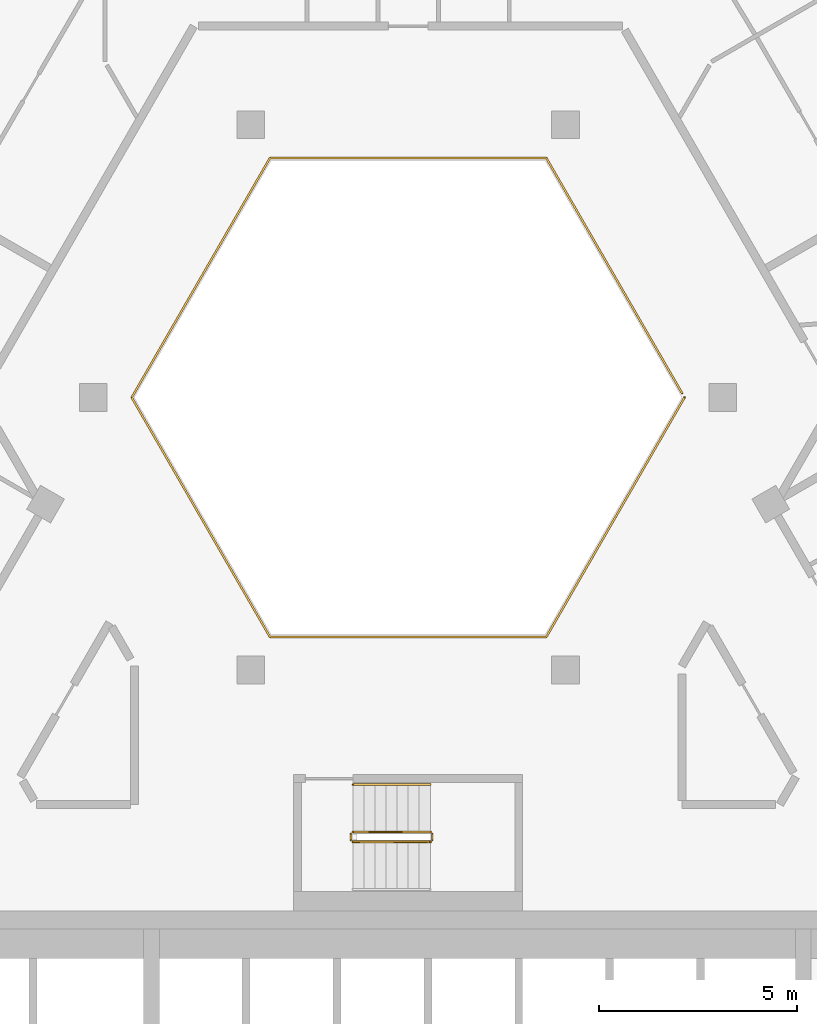
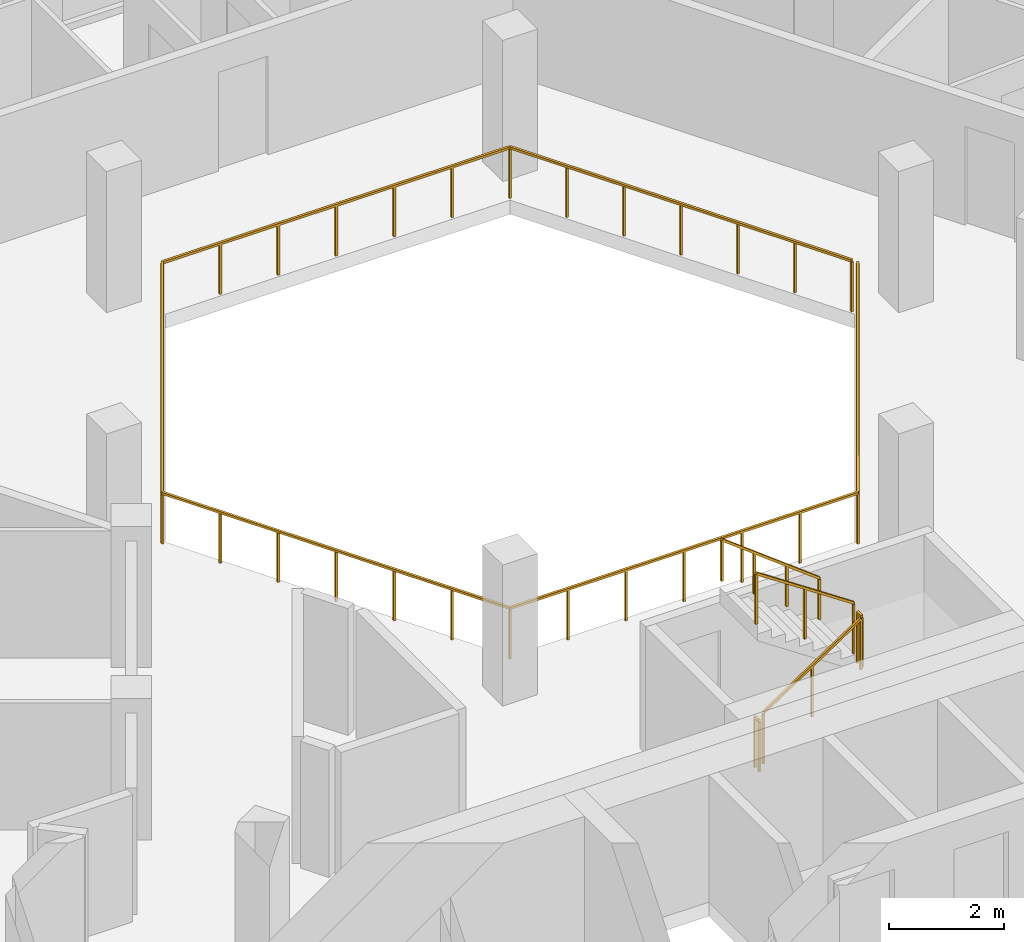
# One storey, part 12 of 14: 6 railings.
"""IFC4 building model written with IfcOpenShell, lengths in metres."""

from ifc_helpers import new_model, si_unit, direction, frame, origin, origin_2d, place, context, subcontext, project, spatial, rectangle, extrude, material, type_object, element, save


model = new_model("IFC4")

# Units and contexts
model_context = context("Model", 3, precision=1e-05, world=origin(), true_north=direction((0.0, 1.0)))
body_context = subcontext(model_context, "Body", "Model", "MODEL_VIEW")
ifc_project = project(units=[si_unit("LENGTHUNIT", "METRE"), si_unit("AREAUNIT", "SQUARE_METRE"), si_unit("VOLUMEUNIT", "CUBIC_METRE"), si_unit("PLANEANGLEUNIT", "RADIAN"), si_unit("MASSUNIT", "GRAM", prefix="KILO")], contexts=[model_context])

# Site, building, storey
site_placement = place(None, origin())
site = spatial("IfcSite", under=ifc_project, at=site_placement, CompositionType="ELEMENT")
building_placement = place(site_placement, origin())
building = spatial("IfcBuilding", under=site, at=building_placement, Name="Beryl Residences", CompositionType="ELEMENT")
storey_placement = place(building_placement, frame((0.0, 0.0, 235.800048828125)))
storey = spatial("IfcBuildingStorey", under=building, at=storey_placement, Name="L73", CompositionType="ELEMENT", Elevation=235.800048828125)

# Railings
ifc_material_1 = material(Name="Stainless steel balustrade with glass infill", Category="steel")
railing_type_1 = type_object("IfcRailingType", Name="EG1 edge guard 1100 mm", PredefinedType="GUARDRAIL", material=ifc_material_1)
railing_1_placement = place(storey_placement, frame((6.9970703125, 8.0, 0.0)))
element("IfcRailing", 1, at=railing_1_placement, inside=storey, type_object=railing_type_1, Name="L73 atrium guard", PredefinedType="GUARDRAIL", context=body_context, shape_type="SweptSolid", body=[
    extrude(rectangle(XDim=0.048095703125, YDim=0.048095703125, at=origin_2d()), frame((0.0, 0.0, 1.076171875), z_axis=(-0.499921796684, -0.866070549782, 0.0), x_axis=(0.866070549782, -0.499921796684, 0.0)), (0.0, 0.0, 1.0), 6.9970703125),
    extrude(rectangle(XDim=0.048095703125, YDim=0.048095703125, at=origin_2d()), frame((-3.498046875, -6.06005859375, 1.076171875), z_axis=(-1.0, 0.0, 0.0), x_axis=(0.0, -1.0, 0.0)), (0.0, 0.0, 1.0), 6.998046875),
    extrude(rectangle(XDim=0.048095703125, YDim=0.048095703125, at=origin_2d()), frame((-10.49609375, -6.06005859375, 1.076171875), z_axis=(-0.499921796684, 0.866070549782, 0.0), x_axis=(-0.866070549782, -0.499921796684, 0.0)), (0.0, 0.0, 1.0), 6.9970703125),
    extrude(rectangle(XDim=0.048095703125, YDim=0.048095703125, at=origin_2d()), frame((-13.994140625, 0.0, 1.076171875), z_axis=(0.499921796684, 0.866070549782, 0.0), x_axis=(-0.866070549782, 0.499921796684, 0.0)), (0.0, 0.0, 1.0), 6.9970703125),
    extrude(rectangle(XDim=0.048095703125, YDim=0.048095703125, at=origin_2d()), frame((-10.49609375, 6.06005859375, 1.076171875), z_axis=(1.0, 0.0, 0.0), x_axis=(0.0, 1.0, 0.0)), (0.0, 0.0, 1.0), 6.998046875),
    extrude(rectangle(XDim=0.048095703125, YDim=0.048095703125, at=origin_2d()), frame((-3.498046875, 6.06005859375, 1.076171875), z_axis=(0.499919131929, -0.866072087953, 0.0), x_axis=(0.866072087953, 0.499919131929, 0.0)), (0.0, 0.0, 1.0), 6.877197265625),
    extrude(rectangle(XDim=0.0419921875, YDim=0.0419921875, at=origin_2d()), origin(), (0.0, 0.0, 1.0), 1.052001953125),
    extrude(rectangle(XDim=0.0419921875, YDim=0.0419921875, at=origin_2d()), frame((-0.5830078125, -1.010009765625, 0.0)), (0.0, 0.0, 1.0), 1.052001953125),
    extrude(rectangle(XDim=0.0419921875, YDim=0.0419921875, at=origin_2d()), frame((-1.166015625, -2.02001953125, 0.0)), (0.0, 0.0, 1.0), 1.052001953125),
    extrude(rectangle(XDim=0.0419921875, YDim=0.0419921875, at=origin_2d()), frame((-1.7490234375, -3.030029296875, 0.0)), (0.0, 0.0, 1.0), 1.052001953125),
    extrude(rectangle(XDim=0.0419921875, YDim=0.0419921875, at=origin_2d()), frame((-2.33203125, -4.0400390625, 0.0)), (0.0, 0.0, 1.0), 1.052001953125),
    extrude(rectangle(XDim=0.0419921875, YDim=0.0419921875, at=origin_2d()), frame((-2.9150390625, -5.050048828125, 0.0)), (0.0, 0.0, 1.0), 1.052001953125),
    extrude(rectangle(XDim=0.0419921875, YDim=0.0419921875, at=origin_2d()), frame((-3.498046875, -6.06005859375, 0.0)), (0.0, 0.0, 1.0), 1.052001953125),
    extrude(rectangle(XDim=0.0419921875, YDim=0.0419921875, at=origin_2d()), frame((-4.664306640625, -6.06005859375, 0.0)), (0.0, 0.0, 1.0), 1.052001953125),
    extrude(rectangle(XDim=0.0419921875, YDim=0.0419921875, at=origin_2d()), frame((-5.830810546875, -6.06005859375, 0.0)), (0.0, 0.0, 1.0), 1.052001953125),
    extrude(rectangle(XDim=0.0419921875, YDim=0.0419921875, at=origin_2d()), frame((-6.9970703125, -6.06005859375, 0.0)), (0.0, 0.0, 1.0), 1.052001953125),
    extrude(rectangle(XDim=0.0419921875, YDim=0.0419921875, at=origin_2d()), frame((-8.163330078125, -6.06005859375, 0.0)), (0.0, 0.0, 1.0), 1.052001953125),
    extrude(rectangle(XDim=0.0419921875, YDim=0.0419921875, at=origin_2d()), frame((-9.329833984375, -6.06005859375, 0.0)), (0.0, 0.0, 1.0), 1.052001953125),
    extrude(rectangle(XDim=0.0419921875, YDim=0.0419921875, at=origin_2d()), frame((-10.49609375, -6.06005859375, 0.0)), (0.0, 0.0, 1.0), 1.052001953125),
    extrude(rectangle(XDim=0.0419921875, YDim=0.0419921875, at=origin_2d()), frame((-11.0791015625, -5.050048828125, 0.0)), (0.0, 0.0, 1.0), 1.052001953125),
    extrude(rectangle(XDim=0.0419921875, YDim=0.0419921875, at=origin_2d()), frame((-11.662109375, -4.0400390625, 0.0)), (0.0, 0.0, 1.0), 1.052001953125),
    extrude(rectangle(XDim=0.0419921875, YDim=0.0419921875, at=origin_2d()), frame((-12.2451171875, -3.030029296875, 0.0)), (0.0, 0.0, 1.0), 1.052001953125),
    extrude(rectangle(XDim=0.0419921875, YDim=0.0419921875, at=origin_2d()), frame((-12.828125, -2.02001953125, 0.0)), (0.0, 0.0, 1.0), 1.052001953125),
    extrude(rectangle(XDim=0.0419921875, YDim=0.0419921875, at=origin_2d()), frame((-13.4111328125, -1.010009765625, 0.0)), (0.0, 0.0, 1.0), 1.052001953125),
    extrude(rectangle(XDim=0.0419921875, YDim=0.0419921875, at=origin_2d()), frame((-13.994140625, 0.0, 0.0)), (0.0, 0.0, 1.0), 1.052001953125),
    extrude(rectangle(XDim=0.0419921875, YDim=0.0419921875, at=origin_2d()), frame((-13.4111328125, 1.010009765625, 0.0)), (0.0, 0.0, 1.0), 1.052001953125),
    extrude(rectangle(XDim=0.0419921875, YDim=0.0419921875, at=origin_2d()), frame((-12.828125, 2.02001953125, 0.0)), (0.0, 0.0, 1.0), 1.052001953125),
    extrude(rectangle(XDim=0.0419921875, YDim=0.0419921875, at=origin_2d()), frame((-12.2451171875, 3.030029296875, 0.0)), (0.0, 0.0, 1.0), 1.052001953125),
    extrude(rectangle(XDim=0.0419921875, YDim=0.0419921875, at=origin_2d()), frame((-11.662109375, 4.0400390625, 0.0)), (0.0, 0.0, 1.0), 1.052001953125),
    extrude(rectangle(XDim=0.0419921875, YDim=0.0419921875, at=origin_2d()), frame((-11.0791015625, 5.050048828125, 0.0)), (0.0, 0.0, 1.0), 1.052001953125),
    extrude(rectangle(XDim=0.0419921875, YDim=0.0419921875, at=origin_2d()), frame((-10.49609375, 6.06005859375, 0.0)), (0.0, 0.0, 1.0), 1.052001953125),
    extrude(rectangle(XDim=0.0419921875, YDim=0.0419921875, at=origin_2d()), frame((-9.329833984375, 6.06005859375, 0.0)), (0.0, 0.0, 1.0), 1.052001953125),
    extrude(rectangle(XDim=0.0419921875, YDim=0.0419921875, at=origin_2d()), frame((-8.163330078125, 6.06005859375, 0.0)), (0.0, 0.0, 1.0), 1.052001953125),
    extrude(rectangle(XDim=0.0419921875, YDim=0.0419921875, at=origin_2d()), frame((-6.9970703125, 6.06005859375, 0.0)), (0.0, 0.0, 1.0), 1.052001953125),
    extrude(rectangle(XDim=0.0419921875, YDim=0.0419921875, at=origin_2d()), frame((-5.830810546875, 6.06005859375, 0.0)), (0.0, 0.0, 1.0), 1.052001953125),
    extrude(rectangle(XDim=0.0419921875, YDim=0.0419921875, at=origin_2d()), frame((-4.664306640625, 6.06005859375, 0.0)), (0.0, 0.0, 1.0), 1.052001953125),
    extrude(rectangle(XDim=0.0419921875, YDim=0.0419921875, at=origin_2d()), frame((-3.498046875, 6.06005859375, 0.0)), (0.0, 0.0, 1.0), 1.052001953125),
    extrude(rectangle(XDim=0.0419921875, YDim=0.0419921875, at=origin_2d()), frame((-2.925048828125, 5.0673828125, 0.0)), (0.0, 0.0, 1.0), 1.052001953125),
    extrude(rectangle(XDim=0.0419921875, YDim=0.0419921875, at=origin_2d()), frame((-2.35205078125, 4.07470703125, 0.0)), (0.0, 0.0, 1.0), 1.052001953125),
    extrude(rectangle(XDim=0.0419921875, YDim=0.0419921875, at=origin_2d()), frame((-1.779052734375, 3.08203125, 0.0)), (0.0, 0.0, 1.0), 1.052001953125),
    extrude(rectangle(XDim=0.0419921875, YDim=0.0419921875, at=origin_2d()), frame((-1.2060546875, 2.08935546875, 0.0)), (0.0, 0.0, 1.0), 1.052001953125),
    extrude(rectangle(XDim=0.0419921875, YDim=0.0419921875, at=origin_2d()), frame((-0.633056640625, 1.0966796875, 0.0)), (0.0, 0.0, 1.0), 1.052001953125),
    extrude(rectangle(XDim=0.0419921875, YDim=0.0419921875, at=origin_2d()), frame((-0.06005859375, 0.10400390625, 0.0)), (0.0, 0.0, 1.0), 1.052001953125),
])
ifc_material_2 = material(Name="Stainless steel balustrade with glass infill", Category="steel")
railing_type_2 = type_object("IfcRailingType", Name="SG1 stair guard 1100 mm", PredefinedType="GUARDRAIL", material=ifc_material_2)
railing_2_placement = place(storey_placement, frame((-1.39990234375, -3.25, 0.1875)))
element("IfcRailing", 2, at=railing_2_placement, inside=storey, type_object=railing_type_2, Name="L73 ST-4 stair guard 1", PredefinedType="GUARDRAIL", context=body_context, shape_type="SweptSolid", body=[
    extrude(rectangle(XDim=0.048095703125, YDim=0.048095703125, at=origin_2d()), frame((0.0, 0.0, 1.076171875), z_axis=(0.830902050051, 0.0, 0.556418712142), x_axis=(0.0, 1.0, 0.0)), (0.0, 0.0, 1.0), 2.35888671875),
    extrude(rectangle(XDim=0.0419921875, YDim=0.0419921875, at=origin_2d()), origin(), (0.0, 0.0, 1.0), 1.052001953125),
    extrude(rectangle(XDim=0.0419921875, YDim=0.0419921875, at=origin_2d()), frame((0.97998046875, 0.0, 0.65625)), (0.0, 0.0, 1.0), 1.052001953125),
    extrude(rectangle(XDim=0.0419921875, YDim=0.0419921875, at=origin_2d()), frame((1.9599609375, 0.0, 1.3125)), (0.0, 0.0, 1.0), 1.052001953125),
])
railing_3_placement = place(storey_placement, frame((0.610107421875, -3.199951171875, 1.5)))
element("IfcRailing", 3, at=railing_3_placement, inside=storey, type_object=railing_type_2, Name="L73 ST-4 stair guard 2", PredefinedType="GUARDRAIL", context=body_context, shape_type="SweptSolid", body=[
    extrude(rectangle(XDim=0.048095703125, YDim=0.048095703125, at=origin_2d()), frame((0.0, 0.0, 1.076171875), z_axis=(0.0, 1.0, 0.0), x_axis=(-1.0, 0.0, 0.0)), (0.0, 0.0, 1.0), 0.14990234375),
    extrude(rectangle(XDim=0.0419921875, YDim=0.0419921875, at=origin_2d()), origin(), (0.0, 0.0, 1.0), 1.052001953125),
    extrude(rectangle(XDim=0.0419921875, YDim=0.0419921875, at=origin_2d()), frame((0.0, 0.14990234375, 0.0)), (0.0, 0.0, 1.0), 1.052001953125),
])
railing_4_placement = place(storey_placement, frame((0.56005859375, -3.0, 1.6875)))
element("IfcRailing", 4, at=railing_4_placement, inside=storey, type_object=railing_type_2, Name="L73 ST-4 stair guard 3", PredefinedType="GUARDRAIL", context=body_context, shape_type="SweptSolid", body=[
    extrude(rectangle(XDim=0.048095703125, YDim=0.048095703125, at=origin_2d()), frame((0.0, 0.0, 1.076171875), z_axis=(-0.830902050051, 0.0, 0.556418712142), x_axis=(0.0, -1.0, 0.0)), (0.0, 0.0, 1.0), 2.35888671875),
    extrude(rectangle(XDim=0.0419921875, YDim=0.0419921875, at=origin_2d()), origin(), (0.0, 0.0, 1.0), 1.052001953125),
    extrude(rectangle(XDim=0.0419921875, YDim=0.0419921875, at=origin_2d()), frame((-0.97998046875, 0.0, 0.65625)), (0.0, 0.0, 1.0), 1.052001953125),
    extrude(rectangle(XDim=0.0419921875, YDim=0.0419921875, at=origin_2d()), frame((-1.9599609375, 0.0, 1.3125)), (0.0, 0.0, 1.0), 1.052001953125),
])
railing_5_placement = place(storey_placement, frame((-1.449951171875, -3.199951171875, 0.0)))
element("IfcRailing", 5, at=railing_5_placement, inside=storey, type_object=railing_type_2, Name="L73 ST-4 stair guard 4", PredefinedType="GUARDRAIL", context=body_context, shape_type="SweptSolid", body=[
    extrude(rectangle(XDim=0.048095703125, YDim=0.048095703125, at=origin_2d()), frame((0.0, 0.0, 1.076171875), z_axis=(0.0, 1.0, 0.0), x_axis=(-1.0, 0.0, 0.0)), (0.0, 0.0, 1.0), 0.14990234375),
    extrude(rectangle(XDim=0.0419921875, YDim=0.0419921875, at=origin_2d()), origin(), (0.0, 0.0, 1.0), 1.052001953125),
    extrude(rectangle(XDim=0.0419921875, YDim=0.0419921875, at=origin_2d()), frame((0.0, 0.14990234375, 0.0)), (0.0, 0.0, 1.0), 1.052001953125),
])
ifc_material_3 = material(Name="Stainless steel handrail", Category="steel")
railing_type_3 = type_object("IfcRailingType", Name="SRL1 stair handrail 900 mm", PredefinedType="HANDRAIL", material=ifc_material_3)
railing_6_placement = place(storey_placement, frame((0.56005859375, -1.800048828125, 1.6875)))
element("IfcRailing", 6, at=railing_6_placement, inside=storey, type_object=railing_type_3, Name="L73 ST-4 stair handrail 2", PredefinedType="HANDRAIL", context=body_context, shape_type="SweptSolid", body=[
    extrude(rectangle(XDim=0.048095703125, YDim=0.048095703125, at=origin_2d()), frame((0.0, 0.0, 0.8759765625), z_axis=(-0.794121922505, 0.0, 0.607758481798), x_axis=(0.0, -1.0, 0.0)), (0.0, 0.0, 1.0), 2.468017578125),
    extrude(rectangle(XDim=0.0419921875, YDim=0.0419921875, at=origin_2d()), origin(), (0.0, 0.0, 1.0), 0.851806640625),
    extrude(rectangle(XDim=0.0419921875, YDim=0.0419921875, at=origin_2d()), frame((-0.6533203125, 0.0, 0.5)), (0.0, 0.0, 1.0), 0.851806640625),
    extrude(rectangle(XDim=0.0419921875, YDim=0.0419921875, at=origin_2d()), frame((-1.306640625, 0.0, 1.0)), (0.0, 0.0, 1.0), 0.851806640625),
    extrude(rectangle(XDim=0.0419921875, YDim=0.0419921875, at=origin_2d()), frame((-1.9599609375, 0.0, 1.5)), (0.0, 0.0, 1.0), 0.851806640625),
])

save(model, "model.ifc")
